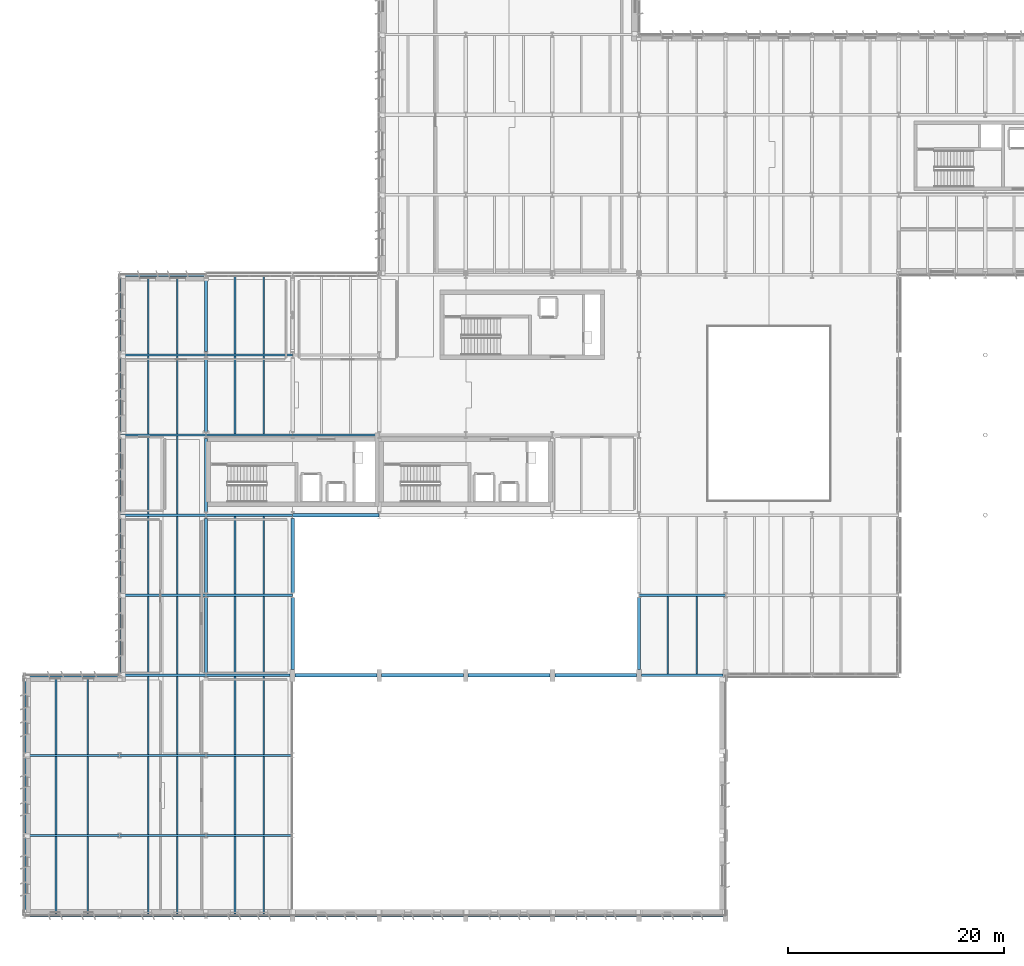
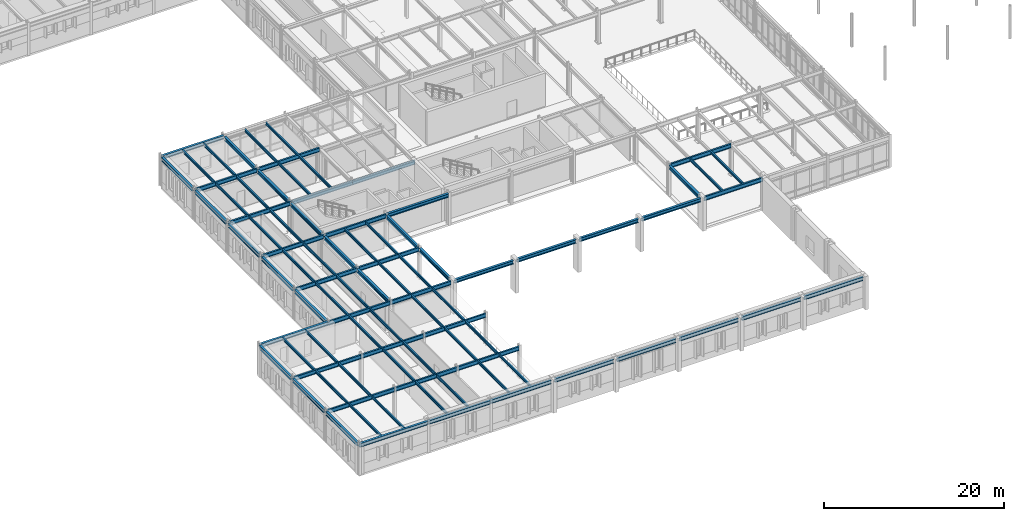
# One storey, part 16 of 75: 88 beams.
"""IFC4 building model written with IfcOpenShell, lengths in metres."""

from ifc_helpers import new_model, si_unit, direction, frame, origin, origin_2d, place, context, subcontext, project, spatial, i_section, extrude, material, material_profile, profile_set, type_object, element, save


model = new_model("IFC4")

# Units and contexts
model_context = context("Model", 3, precision=1e-05, world=origin(), true_north=direction((0.0, 1.0)))
body_context = subcontext(model_context, "Body", "Model", "MODEL_VIEW")
ifc_project = project(units=[si_unit("LENGTHUNIT", "METRE"), si_unit("AREAUNIT", "SQUARE_METRE"), si_unit("VOLUMEUNIT", "CUBIC_METRE"), si_unit("PLANEANGLEUNIT", "RADIAN"), si_unit("MASSUNIT", "GRAM", prefix="KILO")], contexts=[model_context])

# Site, building, storey
site_placement = place(None, origin())
site = spatial("IfcSite", under=ifc_project, at=site_placement, CompositionType="ELEMENT")
building_placement = place(site_placement, origin())
building = spatial("IfcBuilding", under=site, at=building_placement, Name="Valkorina Park Police Headquarters", CompositionType="ELEMENT")
storey_placement = place(building_placement, frame((0.0, 0.0, 5.39990234375)))
storey = spatial("IfcBuildingStorey", under=building, at=storey_placement, Name="L02", CompositionType="ELEMENT", Elevation=5.39990234375)

# Beams
ifc_material = material(Name="Steel S355", Category="steel")
ifc_material_profile_1 = material_profile(ifc_material, i_section(OverallWidth=0.300048828125, OverallDepth=0.489990234375, WebThickness=0.011962890625, FlangeThickness=0.02294921875, FilletRadius=0.027099609375, at=origin_2d()), Name="HEA 500")
ifc_profile_set_1 = profile_set([ifc_material_profile_1], Name="Steel S355")
beam_type_1 = type_object("IfcBeamType", Name="BM-S355-HEA500-BM", PredefinedType="BEAM", material=ifc_profile_set_1)
beam_1_placement = place(storey_placement, frame((16.800048828125, 22.425048828125, 3.97509765625), z_axis=(0.0, 1.0, 0.0), x_axis=(-1.0, 0.0, 0.0)))
element("IfcBeam", 1, at=beam_1_placement, inside=storey, type_object=beam_type_1, Name="L02 Framing Beam 1503", PredefinedType="BEAM", context=body_context, shape_type="SweptSolid", body=[
    extrude(i_section(OverallWidth=0.300048828125, OverallDepth=0.489990234375, WebThickness=0.011962890625, FlangeThickness=0.02294921875, FilletRadius=0.027099609375, at=origin_2d()), origin(), (0.0, 0.0, 1.0), 6.949951171875),
])
beam_2_placement = place(storey_placement, frame((16.800048828125, 29.824951171875, 3.97509765625), z_axis=(0.0, 1.0, 0.0), x_axis=(-1.0, 0.0, 0.0)))
element("IfcBeam", 2, at=beam_2_placement, inside=storey, type_object=beam_type_1, Name="L02 Framing Beam 1506", PredefinedType="BEAM", context=body_context, shape_type="SweptSolid", body=[
    extrude(i_section(OverallWidth=0.300048828125, OverallDepth=0.489990234375, WebThickness=0.011962890625, FlangeThickness=0.02294921875, FilletRadius=0.027099609375, at=origin_2d()), origin(), (0.0, 0.0, 1.0), 6.875),
])
for number, where, z_axis, x_axis, name in (
    (3, (16.800048828125, 37.300048828125, 3.97509765625), (0.0, 1.0, 0.0), (-1.0, 0.0, 0.0), "L02 Framing Beam 1509"),
    (4, (16.800048828125, 44.699951171875, 3.9951171875), (0.0, 1.0, 0.0), (-1.0, 0.0, 0.0), "L02 Framing Beam 1510"),
):
    element("IfcBeam", number, at=place(storey_placement, frame(where, z_axis=z_axis, x_axis=x_axis)), inside=storey, type_object=beam_type_1, Name=name, PredefinedType="BEAM", context=body_context, shape_type="SweptSolid", body=[
        extrude(i_section(OverallWidth=0.300048828125, OverallDepth=0.489990234375, WebThickness=0.011962890625, FlangeThickness=0.02294921875, FilletRadius=0.027099609375, at=origin_2d()), origin(), (0.0, 0.0, 1.0), 6.800048828125),
    ])
beam_3_placement = place(storey_placement, frame((16.800048828125, 52.10009765625, 3.9951171875), z_axis=(0.0, 1.0, 0.0), x_axis=(-1.0, 0.0, 0.0)))
element("IfcBeam", 5, at=beam_3_placement, inside=storey, type_object=beam_type_1, Name="L02 Framing Beam 1513", PredefinedType="BEAM", context=body_context, shape_type="SweptSolid", body=[
    extrude(i_section(OverallWidth=0.300048828125, OverallDepth=0.489990234375, WebThickness=0.011962890625, FlangeThickness=0.02294921875, FilletRadius=0.027099609375, at=origin_2d()), origin(), (0.0, 0.0, 1.0), 6.7998046875),
])
ifc_material_profile_2 = material_profile(ifc_material, i_section(OverallWidth=0.300048828125, OverallDepth=0.489990234375, WebThickness=0.011962890625, FlangeThickness=0.02294921875, FilletRadius=0.027099609375, at=origin_2d()), Name="HEA 500")
ifc_profile_set_2 = profile_set([ifc_material_profile_2], Name="Steel S355")
beam_type_2 = type_object("IfcBeamType", Name="BM-S355-HEA500-SPN", PredefinedType="SPANDREL", material=ifc_profile_set_2)
beam_4_placement = place(storey_placement, frame((0.007080078125, 0.0, 3.97509765625), z_axis=(1.0, 0.0, 0.0), x_axis=(0.0, 1.0, 0.0)))
element("IfcBeam", 6, at=beam_4_placement, inside=storey, type_object=beam_type_2, Name="L02 Framing Beam 1272", PredefinedType="SPANDREL", context=body_context, shape_type="SweptSolid", body=[
    extrude(i_section(OverallWidth=0.300048828125, OverallDepth=0.489990234375, WebThickness=0.011962890625, FlangeThickness=0.02294921875, FilletRadius=0.027099609375, at=origin_2d()), origin(), (0.0, 0.0, 1.0), 8.785888671875),
])
beam_5_placement = place(storey_placement, frame((8.806884765625, 0.0, 3.97509765625), z_axis=(1.0, 0.0, 0.0), x_axis=(0.0, 1.0, 0.0)))
element("IfcBeam", 7, at=beam_5_placement, inside=storey, type_object=beam_type_2, Name="L02 Framing Beam 1273", PredefinedType="SPANDREL", context=body_context, shape_type="SweptSolid", body=[
    extrude(i_section(OverallWidth=0.300048828125, OverallDepth=0.489990234375, WebThickness=0.011962890625, FlangeThickness=0.02294921875, FilletRadius=0.027099609375, at=origin_2d()), origin(), (0.0, 0.0, 1.0), 7.986083984375),
])
beam_6_placement = place(storey_placement, frame((16.806884765625, 0.0, 3.9951171875), z_axis=(1.0, 0.0, 0.0), x_axis=(0.0, 1.0, 0.0)))
element("IfcBeam", 8, at=beam_6_placement, inside=storey, type_object=beam_type_2, Name="L02 Framing Beam 1274", PredefinedType="SPANDREL", context=body_context, shape_type="SweptSolid", body=[
    extrude(i_section(OverallWidth=0.300048828125, OverallDepth=0.489990234375, WebThickness=0.011962890625, FlangeThickness=0.02294921875, FilletRadius=0.027099609375, at=origin_2d()), origin(), (0.0, 0.0, 1.0), 7.76806640625),
])
for number, where, z_axis, x_axis, name in (
    (9, (25.02490234375, 0.0, 3.9951171875), (1.0, 0.0, 0.0), (0.0, 1.0, 0.0), "L02 Framing Beam 1275"),
    (10, (33.02490234375, 0.0, 3.9951171875), (1.0, 0.0, 0.0), (0.0, 1.0, 0.0), "L02 Framing Beam 1276"),
    (11, (41.02490234375, 0.0, 3.9951171875), (1.0, 0.0, 0.0), (0.0, 1.0, 0.0), "L02 Framing Beam 1277"),
    (12, (49.02490234375, 0.0, 3.9951171875), (1.0, 0.0, 0.0), (0.0, 1.0, 0.0), "L02 Framing Beam 1278"),
    (13, (57.02490234375, 0.0, 3.9951171875), (1.0, 0.0, 0.0), (0.0, 1.0, 0.0), "L02 Framing Beam 1279"),
):
    element("IfcBeam", number, at=place(storey_placement, frame(where, z_axis=z_axis, x_axis=x_axis)), inside=storey, type_object=beam_type_2, Name=name, PredefinedType="SPANDREL", context=body_context, shape_type="SweptSolid", body=[
        extrude(i_section(OverallWidth=0.300048828125, OverallDepth=0.489990234375, WebThickness=0.011962890625, FlangeThickness=0.02294921875, FilletRadius=0.027099609375, at=origin_2d()), origin(), (0.0, 0.0, 1.0), 7.550048828125),
    ])
beam_7_placement = place(storey_placement, frame((0.007080078125, 22.199951171875, 3.97509765625), z_axis=(1.0, 0.0, 0.0), x_axis=(0.0, 1.0, 0.0)))
element("IfcBeam", 14, at=beam_7_placement, inside=storey, type_object=beam_type_2, Name="L02 Framing Beam 1292", PredefinedType="SPANDREL", context=body_context, shape_type="SweptSolid", body=[
    extrude(i_section(OverallWidth=0.300048828125, OverallDepth=0.489990234375, WebThickness=0.011962890625, FlangeThickness=0.02294921875, FilletRadius=0.027099609375, at=origin_2d()), origin(), (0.0, 0.0, 1.0), 8.785888671875),
])
for number, where, z_axis, x_axis, name in (
    (15, (25.02490234375, 22.199951171875, 3.97509765625), (1.0, 0.0, 0.0), (0.0, 1.0, 0.0), "L02 Framing Beam 1295"),
    (16, (33.02490234375, 22.199951171875, 3.9951171875), (1.0, 0.0, 0.0), (0.0, 1.0, 0.0), "L02 Framing Beam 1296"),
    (17, (41.02490234375, 22.199951171875, 3.9951171875), (1.0, 0.0, 0.0), (0.0, 1.0, 0.0), "L02 Framing Beam 1297"),
    (18, (49.02490234375, 22.199951171875, 3.9951171875), (1.0, 0.0, 0.0), (0.0, 1.0, 0.0), "L02 Framing Beam 1298"),
):
    element("IfcBeam", number, at=place(storey_placement, frame(where, z_axis=z_axis, x_axis=x_axis)), inside=storey, type_object=beam_type_2, Name=name, PredefinedType="SPANDREL", context=body_context, shape_type="SweptSolid", body=[
        extrude(i_section(OverallWidth=0.300048828125, OverallDepth=0.489990234375, WebThickness=0.011962890625, FlangeThickness=0.02294921875, FilletRadius=0.027099609375, at=origin_2d()), origin(), (0.0, 0.0, 1.0), 7.550048828125),
    ])
for number, where, z_axis, x_axis, name in (
    (19, (24.8076171875, 37.0, 3.97509765625), (1.0, 0.0, 0.0), (0.0, 1.0, 0.0), "L02 Framing Beam 1315"),
    (20, (8.8076171875, 59.199951171875, 3.9951171875), (1.0, 0.0, 0.0), (0.0, 1.0, 0.0), "L02 Framing Beam 1340"),
):
    element("IfcBeam", number, at=place(storey_placement, frame(where, z_axis=z_axis, x_axis=x_axis)), inside=storey, type_object=beam_type_2, Name=name, PredefinedType="SPANDREL", context=body_context, shape_type="SweptSolid", body=[
        extrude(i_section(OverallWidth=0.300048828125, OverallDepth=0.489990234375, WebThickness=0.011962890625, FlangeThickness=0.02294921875, FilletRadius=0.027099609375, at=origin_2d()), origin(), (0.0, 0.0, 1.0), 7.984619140625),
    ])
for number, where, z_axis, x_axis, name in (
    (21, (0.0, 0.22509765625, 3.97509765625), (0.0, 1.0, 0.0), (-1.0, 0.0, 0.0), "L02 Framing Beam 1449"),
    (22, (0.0, 7.625, 3.97509765625), (0.0, 1.0, 0.0), (-1.0, 0.0, 0.0), "L02 Framing Beam 1452"),
):
    element("IfcBeam", number, at=place(storey_placement, frame(where, z_axis=z_axis, x_axis=x_axis)), inside=storey, type_object=beam_type_2, Name=name, PredefinedType="SPANDREL", context=body_context, shape_type="SweptSolid", body=[
        extrude(i_section(OverallWidth=0.300048828125, OverallDepth=0.489990234375, WebThickness=0.011962890625, FlangeThickness=0.02294921875, FilletRadius=0.027099609375, at=origin_2d()), origin(), (0.0, 0.0, 1.0), 6.949951171875),
    ])
beam_8_placement = place(storey_placement, frame((0.0, 15.02490234375, 3.97509765625), z_axis=(0.0, 1.0, 0.0), x_axis=(-1.0, 0.0, 0.0)))
element("IfcBeam", 23, at=beam_8_placement, inside=storey, type_object=beam_type_2, Name="L02 Framing Beam 1455", PredefinedType="SPANDREL", context=body_context, shape_type="SweptSolid", body=[
    extrude(i_section(OverallWidth=0.300048828125, OverallDepth=0.489990234375, WebThickness=0.011962890625, FlangeThickness=0.02294921875, FilletRadius=0.027099609375, at=origin_2d()), origin(), (0.0, 0.0, 1.0), 6.9501953125),
])
beam_9_placement = place(storey_placement, frame((8.800048828125, 22.425048828125, 3.97509765625), z_axis=(0.0, 1.0, 0.0), x_axis=(-1.0, 0.0, 0.0)))
element("IfcBeam", 24, at=beam_9_placement, inside=storey, type_object=beam_type_2, Name="L02 Framing Beam 1473", PredefinedType="SPANDREL", context=body_context, shape_type="SweptSolid", body=[
    extrude(i_section(OverallWidth=0.300048828125, OverallDepth=0.489990234375, WebThickness=0.011962890625, FlangeThickness=0.02294921875, FilletRadius=0.027099609375, at=origin_2d()), origin(), (0.0, 0.0, 1.0), 6.949951171875),
])
beam_10_placement = place(storey_placement, frame((8.800048828125, 29.824951171875, 3.97509765625), z_axis=(0.0, 1.0, 0.0), x_axis=(-1.0, 0.0, 0.0)))
element("IfcBeam", 25, at=beam_10_placement, inside=storey, type_object=beam_type_2, Name="L02 Framing Beam 1476", PredefinedType="SPANDREL", context=body_context, shape_type="SweptSolid", body=[
    extrude(i_section(OverallWidth=0.300048828125, OverallDepth=0.489990234375, WebThickness=0.011962890625, FlangeThickness=0.02294921875, FilletRadius=0.027099609375, at=origin_2d()), origin(), (0.0, 0.0, 1.0), 6.875),
])
for number, where, z_axis, x_axis, name in (
    (26, (8.800048828125, 37.300048828125, 3.97509765625), (0.0, 1.0, 0.0), (-1.0, 0.0, 0.0), "L02 Framing Beam 1479"),
    (27, (8.800048828125, 44.699951171875, 3.9951171875), (0.0, 1.0, 0.0), (-1.0, 0.0, 0.0), "L02 Framing Beam 1482"),
):
    element("IfcBeam", number, at=place(storey_placement, frame(where, z_axis=z_axis, x_axis=x_axis)), inside=storey, type_object=beam_type_2, Name=name, PredefinedType="SPANDREL", context=body_context, shape_type="SweptSolid", body=[
        extrude(i_section(OverallWidth=0.300048828125, OverallDepth=0.489990234375, WebThickness=0.011962890625, FlangeThickness=0.02294921875, FilletRadius=0.027099609375, at=origin_2d()), origin(), (0.0, 0.0, 1.0), 6.800048828125),
    ])
beam_11_placement = place(storey_placement, frame((8.800048828125, 52.10009765625, 3.9951171875), z_axis=(0.0, 1.0, 0.0), x_axis=(-1.0, 0.0, 0.0)))
element("IfcBeam", 28, at=beam_11_placement, inside=storey, type_object=beam_type_2, Name="L02 Framing Beam 1485", PredefinedType="SPANDREL", context=body_context, shape_type="SweptSolid", body=[
    extrude(i_section(OverallWidth=0.300048828125, OverallDepth=0.489990234375, WebThickness=0.011962890625, FlangeThickness=0.02294921875, FilletRadius=0.027099609375, at=origin_2d()), origin(), (0.0, 0.0, 1.0), 6.7998046875),
])
beam_12_placement = place(storey_placement, frame((24.800048828125, 22.75, 3.97509765625), z_axis=(0.0, 1.0, 0.0), x_axis=(-1.0, 0.0, 0.0)))
element("IfcBeam", 29, at=beam_12_placement, inside=storey, type_object=beam_type_2, Name="L02 Framing Beam 1525", PredefinedType="SPANDREL", context=body_context, shape_type="SweptSolid", body=[
    extrude(i_section(OverallWidth=0.300048828125, OverallDepth=0.489990234375, WebThickness=0.011962890625, FlangeThickness=0.02294921875, FilletRadius=0.027099609375, at=origin_2d()), origin(), (0.0, 0.0, 1.0), 6.625),
])
beam_13_placement = place(storey_placement, frame((24.800048828125, 29.824951171875, 3.97509765625), z_axis=(0.0, 1.0, 0.0), x_axis=(-1.0, 0.0, 0.0)))
element("IfcBeam", 30, at=beam_13_placement, inside=storey, type_object=beam_type_2, Name="L02 Framing Beam 1526", PredefinedType="SPANDREL", context=body_context, shape_type="SweptSolid", body=[
    extrude(i_section(OverallWidth=0.300048828125, OverallDepth=0.489990234375, WebThickness=0.011962890625, FlangeThickness=0.02294921875, FilletRadius=0.027099609375, at=origin_2d()), origin(), (0.0, 0.0, 1.0), 6.875),
])
beam_14_placement = place(storey_placement, frame((56.800048828125, 22.75, 3.9951171875), z_axis=(0.0, 1.0, 0.0), x_axis=(-1.0, 0.0, 0.0)))
element("IfcBeam", 31, at=beam_14_placement, inside=storey, type_object=beam_type_2, Name="L02 Framing Beam 1589", PredefinedType="SPANDREL", context=body_context, shape_type="SweptSolid", body=[
    extrude(i_section(OverallWidth=0.300048828125, OverallDepth=0.489990234375, WebThickness=0.011962890625, FlangeThickness=0.02294921875, FilletRadius=0.027099609375, at=origin_2d()), origin(), (0.0, 0.0, 1.0), 6.625),
])
ifc_material_profile_3 = material_profile(ifc_material, i_section(OverallWidth=0.169921875, OverallDepth=0.360107421875, WebThickness=0.008056640625, FlangeThickness=0.0126953125, FilletRadius=0.01806640625, at=origin_2d()), Name="IPE 360")
ifc_profile_set_3 = profile_set([ifc_material_profile_3], Name="Steel S355")
beam_type_3 = type_object("IfcBeamType", Name="BM-S355-IPE360-JST", PredefinedType="JOIST", material=ifc_profile_set_3)
for number, where, z_axis, x_axis, name in (
    (32, (2.933349609375, 0.14990234375, 4.0400390625), (0.0, 1.0, 0.0), (-1.0, 0.0, 0.0), "L02 Framing Beam 1450"),
    (33, (5.86669921875, 0.14990234375, 4.0400390625), (0.0, 1.0, 0.0), (-1.0, 0.0, 0.0), "L02 Framing Beam 1451"),
):
    element("IfcBeam", number, at=place(storey_placement, frame(where, z_axis=z_axis, x_axis=x_axis)), inside=storey, type_object=beam_type_3, Name=name, PredefinedType="JOIST", context=body_context, shape_type="SweptSolid", body=[
        extrude(i_section(OverallWidth=0.169921875, OverallDepth=0.360107421875, WebThickness=0.008056640625, FlangeThickness=0.0126953125, FilletRadius=0.01806640625, at=origin_2d()), origin(), (0.0, 0.0, 1.0), 7.14501953125),
    ])
for number, where, z_axis, x_axis, name in (
    (34, (2.933349609375, 7.5048828125, 4.0400390625), (0.0, 1.0, 0.0), (-1.0, 0.0, 0.0), "L02 Framing Beam 1453"),
    (35, (5.86669921875, 7.5048828125, 4.0400390625), (0.0, 1.0, 0.0), (-1.0, 0.0, 0.0), "L02 Framing Beam 1454"),
):
    element("IfcBeam", number, at=place(storey_placement, frame(where, z_axis=z_axis, x_axis=x_axis)), inside=storey, type_object=beam_type_3, Name=name, PredefinedType="JOIST", context=body_context, shape_type="SweptSolid", body=[
        extrude(i_section(OverallWidth=0.169921875, OverallDepth=0.360107421875, WebThickness=0.008056640625, FlangeThickness=0.0126953125, FilletRadius=0.01806640625, at=origin_2d()), origin(), (0.0, 0.0, 1.0), 7.190185546875),
    ])
for number, where, z_axis, x_axis, name in (
    (36, (2.933349609375, 14.905029296875, 4.0400390625), (0.0, 1.0, 0.0), (-1.0, 0.0, 0.0), "L02 Framing Beam 1456"),
    (37, (5.86669921875, 14.905029296875, 4.0400390625), (0.0, 1.0, 0.0), (-1.0, 0.0, 0.0), "L02 Framing Beam 1457"),
    (38, (11.466796875, 0.14990234375, 4.06005859375), (0.0, 1.0, 0.0), (-1.0, 0.0, 0.0), "L02 Framing Beam 1467"),
    (39, (14.13330078125, 0.14990234375, 4.06005859375), (0.0, 1.0, 0.0), (-1.0, 0.0, 0.0), "L02 Framing Beam 1468"),
):
    element("IfcBeam", number, at=place(storey_placement, frame(where, z_axis=z_axis, x_axis=x_axis)), inside=storey, type_object=beam_type_3, Name=name, PredefinedType="JOIST", context=body_context, shape_type="SweptSolid", body=[
        extrude(i_section(OverallWidth=0.169921875, OverallDepth=0.360107421875, WebThickness=0.008056640625, FlangeThickness=0.0126953125, FilletRadius=0.01806640625, at=origin_2d()), origin(), (0.0, 0.0, 1.0), 7.14501953125),
    ])
for number, where, z_axis, x_axis, name in (
    (40, (11.466796875, 7.5048828125, 4.06005859375), (0.0, 1.0, 0.0), (-1.0, 0.0, 0.0), "L02 Framing Beam 1469"),
    (41, (14.13330078125, 7.5048828125, 4.06005859375), (0.0, 1.0, 0.0), (-1.0, 0.0, 0.0), "L02 Framing Beam 1470"),
):
    element("IfcBeam", number, at=place(storey_placement, frame(where, z_axis=z_axis, x_axis=x_axis)), inside=storey, type_object=beam_type_3, Name=name, PredefinedType="JOIST", context=body_context, shape_type="SweptSolid", body=[
        extrude(i_section(OverallWidth=0.169921875, OverallDepth=0.360107421875, WebThickness=0.008056640625, FlangeThickness=0.0126953125, FilletRadius=0.01806640625, at=origin_2d()), origin(), (0.0, 0.0, 1.0), 7.190185546875),
    ])
for number, where, z_axis, x_axis, name in (
    (42, (11.466796875, 14.905029296875, 4.0400390625), (0.0, 1.0, 0.0), (-1.0, 0.0, 0.0), "L02 Framing Beam 1471"),
    (43, (14.13330078125, 14.905029296875, 4.0400390625), (0.0, 1.0, 0.0), (-1.0, 0.0, 0.0), "L02 Framing Beam 1472"),
):
    element("IfcBeam", number, at=place(storey_placement, frame(where, z_axis=z_axis, x_axis=x_axis)), inside=storey, type_object=beam_type_3, Name=name, PredefinedType="JOIST", context=body_context, shape_type="SweptSolid", body=[
        extrude(i_section(OverallWidth=0.169921875, OverallDepth=0.360107421875, WebThickness=0.008056640625, FlangeThickness=0.0126953125, FilletRadius=0.01806640625, at=origin_2d()), origin(), (0.0, 0.0, 1.0), 7.18994140625),
    ])
for number, where, z_axis, x_axis, name in (
    (44, (11.466796875, 22.304931640625, 4.0400390625), (0.0, 1.0, 0.0), (-1.0, 0.0, 0.0), "L02 Framing Beam 1474"),
    (45, (14.13330078125, 22.304931640625, 4.0400390625), (0.0, 1.0, 0.0), (-1.0, 0.0, 0.0), "L02 Framing Beam 1475"),
):
    element("IfcBeam", number, at=place(storey_placement, frame(where, z_axis=z_axis, x_axis=x_axis)), inside=storey, type_object=beam_type_3, Name=name, PredefinedType="JOIST", context=body_context, shape_type="SweptSolid", body=[
        extrude(i_section(OverallWidth=0.169921875, OverallDepth=0.360107421875, WebThickness=0.008056640625, FlangeThickness=0.0126953125, FilletRadius=0.01806640625, at=origin_2d()), origin(), (0.0, 0.0, 1.0), 7.190185546875),
    ])
for number, where, z_axis, x_axis, name in (
    (46, (11.466796875, 29.705078125, 4.0400390625), (0.0, 1.0, 0.0), (-1.0, 0.0, 0.0), "L02 Framing Beam 1477"),
    (47, (14.13330078125, 29.705078125, 4.0400390625), (0.0, 1.0, 0.0), (-1.0, 0.0, 0.0), "L02 Framing Beam 1478"),
    (48, (11.466796875, 37.10498046875, 4.0400390625), (0.0, 1.0, 0.0), (-1.0, 0.0, 0.0), "L02 Framing Beam 1480"),
    (49, (14.13330078125, 37.10498046875, 4.0400390625), (0.0, 1.0, 0.0), (-1.0, 0.0, 0.0), "L02 Framing Beam 1481"),
):
    element("IfcBeam", number, at=place(storey_placement, frame(where, z_axis=z_axis, x_axis=x_axis)), inside=storey, type_object=beam_type_3, Name=name, PredefinedType="JOIST", context=body_context, shape_type="SweptSolid", body=[
        extrude(i_section(OverallWidth=0.169921875, OverallDepth=0.360107421875, WebThickness=0.008056640625, FlangeThickness=0.0126953125, FilletRadius=0.01806640625, at=origin_2d()), origin(), (0.0, 0.0, 1.0), 7.18994140625),
    ])
for number, where, z_axis, x_axis, name in (
    (50, (11.466796875, 44.5048828125, 4.06005859375), (0.0, 1.0, 0.0), (-1.0, 0.0, 0.0), "L02 Framing Beam 1483"),
    (51, (14.13330078125, 44.5048828125, 4.06005859375), (0.0, 1.0, 0.0), (-1.0, 0.0, 0.0), "L02 Framing Beam 1484"),
):
    element("IfcBeam", number, at=place(storey_placement, frame(where, z_axis=z_axis, x_axis=x_axis)), inside=storey, type_object=beam_type_3, Name=name, PredefinedType="JOIST", context=body_context, shape_type="SweptSolid", body=[
        extrude(i_section(OverallWidth=0.169921875, OverallDepth=0.360107421875, WebThickness=0.008056640625, FlangeThickness=0.0126953125, FilletRadius=0.01806640625, at=origin_2d()), origin(), (0.0, 0.0, 1.0), 7.190185546875),
    ])
for number, where, z_axis, x_axis, name in (
    (52, (11.466796875, 51.905029296875, 4.06005859375), (0.0, 1.0, 0.0), (-1.0, 0.0, 0.0), "L02 Framing Beam 1486"),
    (53, (14.13330078125, 51.905029296875, 4.06005859375), (0.0, 1.0, 0.0), (-1.0, 0.0, 0.0), "L02 Framing Beam 1487"),
    (54, (19.466796875, 0.14990234375, 4.06005859375), (0.0, 1.0, 0.0), (-1.0, 0.0, 0.0), "L02 Framing Beam 1497"),
    (55, (22.13330078125, 0.14990234375, 4.06005859375), (0.0, 1.0, 0.0), (-1.0, 0.0, 0.0), "L02 Framing Beam 1498"),
):
    element("IfcBeam", number, at=place(storey_placement, frame(where, z_axis=z_axis, x_axis=x_axis)), inside=storey, type_object=beam_type_3, Name=name, PredefinedType="JOIST", context=body_context, shape_type="SweptSolid", body=[
        extrude(i_section(OverallWidth=0.169921875, OverallDepth=0.360107421875, WebThickness=0.008056640625, FlangeThickness=0.0126953125, FilletRadius=0.01806640625, at=origin_2d()), origin(), (0.0, 0.0, 1.0), 7.14501953125),
    ])
for number, where, z_axis, x_axis, name in (
    (56, (19.466796875, 7.5048828125, 4.06005859375), (0.0, 1.0, 0.0), (-1.0, 0.0, 0.0), "L02 Framing Beam 1499"),
    (57, (22.13330078125, 7.5048828125, 4.06005859375), (0.0, 1.0, 0.0), (-1.0, 0.0, 0.0), "L02 Framing Beam 1500"),
):
    element("IfcBeam", number, at=place(storey_placement, frame(where, z_axis=z_axis, x_axis=x_axis)), inside=storey, type_object=beam_type_3, Name=name, PredefinedType="JOIST", context=body_context, shape_type="SweptSolid", body=[
        extrude(i_section(OverallWidth=0.169921875, OverallDepth=0.360107421875, WebThickness=0.008056640625, FlangeThickness=0.0126953125, FilletRadius=0.01806640625, at=origin_2d()), origin(), (0.0, 0.0, 1.0), 7.190185546875),
    ])
for number, where, z_axis, x_axis, name in (
    (58, (19.466796875, 14.905029296875, 4.0400390625), (0.0, 1.0, 0.0), (-1.0, 0.0, 0.0), "L02 Framing Beam 1501"),
    (59, (22.13330078125, 14.905029296875, 4.0400390625), (0.0, 1.0, 0.0), (-1.0, 0.0, 0.0), "L02 Framing Beam 1502"),
):
    element("IfcBeam", number, at=place(storey_placement, frame(where, z_axis=z_axis, x_axis=x_axis)), inside=storey, type_object=beam_type_3, Name=name, PredefinedType="JOIST", context=body_context, shape_type="SweptSolid", body=[
        extrude(i_section(OverallWidth=0.169921875, OverallDepth=0.360107421875, WebThickness=0.008056640625, FlangeThickness=0.0126953125, FilletRadius=0.01806640625, at=origin_2d()), origin(), (0.0, 0.0, 1.0), 7.18994140625),
    ])
for number, where, z_axis, x_axis, name in (
    (60, (19.466796875, 22.304931640625, 4.0400390625), (0.0, 1.0, 0.0), (-1.0, 0.0, 0.0), "L02 Framing Beam 1504"),
    (61, (22.13330078125, 22.304931640625, 4.0400390625), (0.0, 1.0, 0.0), (-1.0, 0.0, 0.0), "L02 Framing Beam 1505"),
):
    element("IfcBeam", number, at=place(storey_placement, frame(where, z_axis=z_axis, x_axis=x_axis)), inside=storey, type_object=beam_type_3, Name=name, PredefinedType="JOIST", context=body_context, shape_type="SweptSolid", body=[
        extrude(i_section(OverallWidth=0.169921875, OverallDepth=0.360107421875, WebThickness=0.008056640625, FlangeThickness=0.0126953125, FilletRadius=0.01806640625, at=origin_2d()), origin(), (0.0, 0.0, 1.0), 7.190185546875),
    ])
for number, where, z_axis, x_axis, name in (
    (62, (19.466796875, 29.705078125, 4.0400390625), (0.0, 1.0, 0.0), (-1.0, 0.0, 0.0), "L02 Framing Beam 1507"),
    (63, (22.13330078125, 29.705078125, 4.0400390625), (0.0, 1.0, 0.0), (-1.0, 0.0, 0.0), "L02 Framing Beam 1508"),
):
    element("IfcBeam", number, at=place(storey_placement, frame(where, z_axis=z_axis, x_axis=x_axis)), inside=storey, type_object=beam_type_3, Name=name, PredefinedType="JOIST", context=body_context, shape_type="SweptSolid", body=[
        extrude(i_section(OverallWidth=0.169921875, OverallDepth=0.360107421875, WebThickness=0.008056640625, FlangeThickness=0.0126953125, FilletRadius=0.01806640625, at=origin_2d()), origin(), (0.0, 0.0, 1.0), 7.18994140625),
    ])
for number, where, z_axis, x_axis, name in (
    (64, (19.466796875, 44.5048828125, 4.06005859375), (0.0, 1.0, 0.0), (-1.0, 0.0, 0.0), "L02 Framing Beam 1511"),
    (65, (22.13330078125, 44.5048828125, 4.06005859375), (0.0, 1.0, 0.0), (-1.0, 0.0, 0.0), "L02 Framing Beam 1512"),
):
    element("IfcBeam", number, at=place(storey_placement, frame(where, z_axis=z_axis, x_axis=x_axis)), inside=storey, type_object=beam_type_3, Name=name, PredefinedType="JOIST", context=body_context, shape_type="SweptSolid", body=[
        extrude(i_section(OverallWidth=0.169921875, OverallDepth=0.360107421875, WebThickness=0.008056640625, FlangeThickness=0.0126953125, FilletRadius=0.01806640625, at=origin_2d()), origin(), (0.0, 0.0, 1.0), 7.190185546875),
    ])
for number, where, z_axis, x_axis, name in (
    (66, (19.466796875, 51.905029296875, 4.06005859375), (0.0, 1.0, 0.0), (-1.0, 0.0, 0.0), "L02 Framing Beam 1514"),
    (67, (22.13330078125, 51.905029296875, 4.06005859375), (0.0, 1.0, 0.0), (-1.0, 0.0, 0.0), "L02 Framing Beam 1515"),
):
    element("IfcBeam", number, at=place(storey_placement, frame(where, z_axis=z_axis, x_axis=x_axis)), inside=storey, type_object=beam_type_3, Name=name, PredefinedType="JOIST", context=body_context, shape_type="SweptSolid", body=[
        extrude(i_section(OverallWidth=0.169921875, OverallDepth=0.360107421875, WebThickness=0.008056640625, FlangeThickness=0.0126953125, FilletRadius=0.01806640625, at=origin_2d()), origin(), (0.0, 0.0, 1.0), 7.14501953125),
    ])
for number, where, z_axis, x_axis, name in (
    (68, (59.466796875, 22.304931640625, 4.06005859375), (0.0, 1.0, 0.0), (-1.0, 0.0, 0.0), "L02 Framing Beam 1590"),
    (69, (62.13330078125, 22.304931640625, 4.06005859375), (0.0, 1.0, 0.0), (-1.0, 0.0, 0.0), "L02 Framing Beam 1591"),
):
    element("IfcBeam", number, at=place(storey_placement, frame(where, z_axis=z_axis, x_axis=x_axis)), inside=storey, type_object=beam_type_3, Name=name, PredefinedType="JOIST", context=body_context, shape_type="SweptSolid", body=[
        extrude(i_section(OverallWidth=0.169921875, OverallDepth=0.360107421875, WebThickness=0.008056640625, FlangeThickness=0.0126953125, FilletRadius=0.01806640625, at=origin_2d()), origin(), (0.0, 0.0, 1.0), 7.190185546875),
    ])
ifc_material_profile_4 = material_profile(ifc_material, i_section(OverallWidth=0.2099609375, OverallDepth=0.550048828125, WebThickness=0.010986328125, FlangeThickness=0.01708984375, FilletRadius=0.02392578125, at=origin_2d()), Name="IPE 550")
ifc_profile_set_4 = profile_set([ifc_material_profile_4], Name="Steel S355")
beam_type_4 = type_object("IfcBeamType", Name="BM-S355-IPE550-BM", PredefinedType="BEAM", material=ifc_profile_set_4)
beam_15_placement = place(storey_placement, frame((0.007080078125, 7.39990234375, 3.945068359375), z_axis=(1.0, 0.0, 0.0), x_axis=(0.0, 1.0, 0.0)))
element("IfcBeam", 70, at=beam_15_placement, inside=storey, type_object=beam_type_4, Name="L02 Framing Beam 1280", PredefinedType="BEAM", context=body_context, shape_type="SweptSolid", body=[
    extrude(i_section(OverallWidth=0.2099609375, OverallDepth=0.550048828125, WebThickness=0.010986328125, FlangeThickness=0.01708984375, FilletRadius=0.02392578125, at=origin_2d()), origin(), (0.0, 0.0, 1.0), 8.785888671875),
])
for number, where, z_axis, x_axis, name in (
    (71, (8.806884765625, 7.39990234375, 3.945068359375), (1.0, 0.0, 0.0), (0.0, 1.0, 0.0), "L02 Framing Beam 1281"),
    (72, (16.806884765625, 7.39990234375, 3.965087890625), (1.0, 0.0, 0.0), (0.0, 1.0, 0.0), "L02 Framing Beam 1282"),
):
    element("IfcBeam", number, at=place(storey_placement, frame(where, z_axis=z_axis, x_axis=x_axis)), inside=storey, type_object=beam_type_4, Name=name, PredefinedType="BEAM", context=body_context, shape_type="SweptSolid", body=[
        extrude(i_section(OverallWidth=0.2099609375, OverallDepth=0.550048828125, WebThickness=0.010986328125, FlangeThickness=0.01708984375, FilletRadius=0.02392578125, at=origin_2d()), origin(), (0.0, 0.0, 1.0), 7.986083984375),
    ])
beam_16_placement = place(storey_placement, frame((0.007080078125, 14.800048828125, 3.945068359375), z_axis=(1.0, 0.0, 0.0), x_axis=(0.0, 1.0, 0.0)))
element("IfcBeam", 73, at=beam_16_placement, inside=storey, type_object=beam_type_4, Name="L02 Framing Beam 1286", PredefinedType="BEAM", context=body_context, shape_type="SweptSolid", body=[
    extrude(i_section(OverallWidth=0.2099609375, OverallDepth=0.550048828125, WebThickness=0.010986328125, FlangeThickness=0.01708984375, FilletRadius=0.02392578125, at=origin_2d()), origin(), (0.0, 0.0, 1.0), 8.785888671875),
])
for number, where, z_axis, x_axis, name in (
    (74, (8.806884765625, 14.800048828125, 3.945068359375), (1.0, 0.0, 0.0), (0.0, 1.0, 0.0), "L02 Framing Beam 1287"),
    (75, (16.806884765625, 14.800048828125, 3.965087890625), (1.0, 0.0, 0.0), (0.0, 1.0, 0.0), "L02 Framing Beam 1288"),
    (76, (8.806884765625, 22.199951171875, 3.945068359375), (1.0, 0.0, 0.0), (0.0, 1.0, 0.0), "L02 Framing Beam 1293"),
):
    element("IfcBeam", number, at=place(storey_placement, frame(where, z_axis=z_axis, x_axis=x_axis)), inside=storey, type_object=beam_type_4, Name=name, PredefinedType="BEAM", context=body_context, shape_type="SweptSolid", body=[
        extrude(i_section(OverallWidth=0.2099609375, OverallDepth=0.550048828125, WebThickness=0.010986328125, FlangeThickness=0.01708984375, FilletRadius=0.02392578125, at=origin_2d()), origin(), (0.0, 0.0, 1.0), 7.986083984375),
    ])
beam_17_placement = place(storey_placement, frame((16.806884765625, 22.199951171875, 3.945068359375), z_axis=(1.0, 0.0, 0.0), x_axis=(0.0, 1.0, 0.0)))
element("IfcBeam", 77, at=beam_17_placement, inside=storey, type_object=beam_type_4, Name="L02 Framing Beam 1294", PredefinedType="BEAM", context=body_context, shape_type="SweptSolid", body=[
    extrude(i_section(OverallWidth=0.2099609375, OverallDepth=0.550048828125, WebThickness=0.010986328125, FlangeThickness=0.01708984375, FilletRadius=0.02392578125, at=origin_2d()), origin(), (0.0, 0.0, 1.0), 7.76806640625),
])
beam_18_placement = place(storey_placement, frame((57.02490234375, 22.199951171875, 3.965087890625), z_axis=(1.0, 0.0, 0.0), x_axis=(0.0, 1.0, 0.0)))
element("IfcBeam", 78, at=beam_18_placement, inside=storey, type_object=beam_type_4, Name="L02 Framing Beam 1299", PredefinedType="BEAM", context=body_context, shape_type="SweptSolid", body=[
    extrude(i_section(OverallWidth=0.2099609375, OverallDepth=0.550048828125, WebThickness=0.010986328125, FlangeThickness=0.01708984375, FilletRadius=0.02392578125, at=origin_2d()), origin(), (0.0, 0.0, 1.0), 7.550048828125),
])
for number, where, z_axis, x_axis, name in (
    (79, (8.806884765625, 29.60009765625, 3.945068359375), (1.0, 0.0, 0.0), (0.0, 1.0, 0.0), "L02 Framing Beam 1305"),
    (80, (16.806884765625, 29.60009765625, 3.945068359375), (1.0, 0.0, 0.0), (0.0, 1.0, 0.0), "L02 Framing Beam 1306"),
    (81, (56.806884765625, 29.60009765625, 3.965087890625), (1.0, 0.0, 0.0), (0.0, 1.0, 0.0), "L02 Framing Beam 1307"),
):
    element("IfcBeam", number, at=place(storey_placement, frame(where, z_axis=z_axis, x_axis=x_axis)), inside=storey, type_object=beam_type_4, Name=name, PredefinedType="BEAM", context=body_context, shape_type="SweptSolid", body=[
        extrude(i_section(OverallWidth=0.2099609375, OverallDepth=0.550048828125, WebThickness=0.010986328125, FlangeThickness=0.01708984375, FilletRadius=0.02392578125, at=origin_2d()), origin(), (0.0, 0.0, 1.0), 7.986083984375),
    ])
for number, where, z_axis, x_axis, name in (
    (82, (8.8076171875, 37.0, 3.945068359375), (1.0, 0.0, 0.0), (0.0, 1.0, 0.0), "L02 Framing Beam 1313"),
    (83, (16.8076171875, 37.0, 3.945068359375), (1.0, 0.0, 0.0), (0.0, 1.0, 0.0), "L02 Framing Beam 1314"),
    (84, (8.8076171875, 44.39990234375, 3.965087890625), (1.0, 0.0, 0.0), (0.0, 1.0, 0.0), "L02 Framing Beam 1325"),
    (85, (16.8076171875, 44.39990234375, 3.965087890625), (1.0, 0.0, 0.0), (0.0, 1.0, 0.0), "L02 Framing Beam 1326"),
    (86, (24.8076171875, 44.39990234375, 3.965087890625), (1.0, 0.0, 0.0), (0.0, 1.0, 0.0), "L02 Framing Beam 1327"),
    (87, (8.8076171875, 51.800048828125, 3.965087890625), (1.0, 0.0, 0.0), (0.0, 1.0, 0.0), "L02 Framing Beam 1334"),
    (88, (16.8076171875, 51.800048828125, 3.965087890625), (1.0, 0.0, 0.0), (0.0, 1.0, 0.0), "L02 Framing Beam 1335"),
):
    element("IfcBeam", number, at=place(storey_placement, frame(where, z_axis=z_axis, x_axis=x_axis)), inside=storey, type_object=beam_type_4, Name=name, PredefinedType="BEAM", context=body_context, shape_type="SweptSolid", body=[
        extrude(i_section(OverallWidth=0.2099609375, OverallDepth=0.550048828125, WebThickness=0.010986328125, FlangeThickness=0.01708984375, FilletRadius=0.02392578125, at=origin_2d()), origin(), (0.0, 0.0, 1.0), 7.984619140625),
    ])

save(model, "model.ifc")
